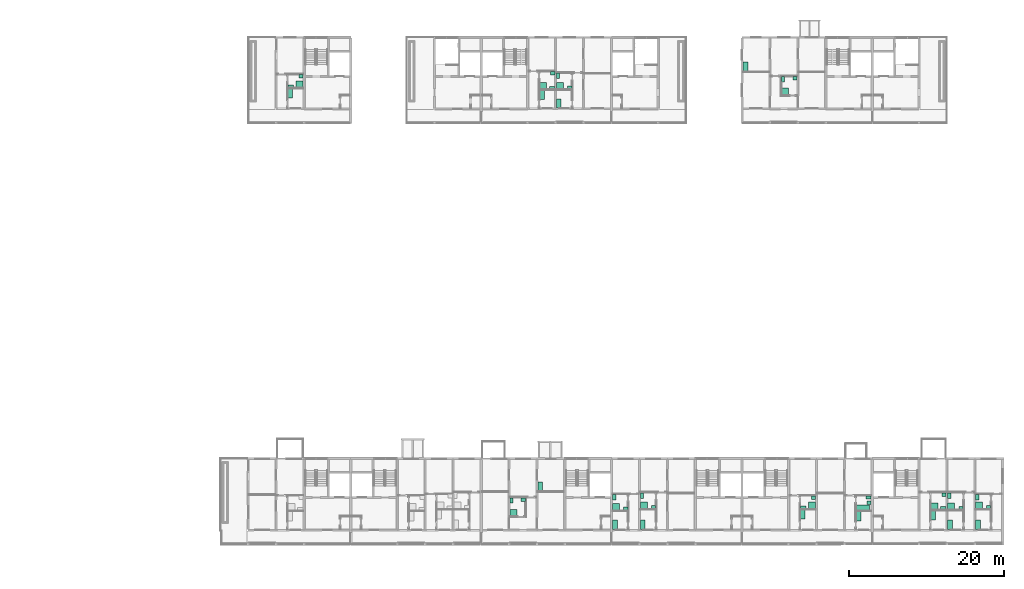
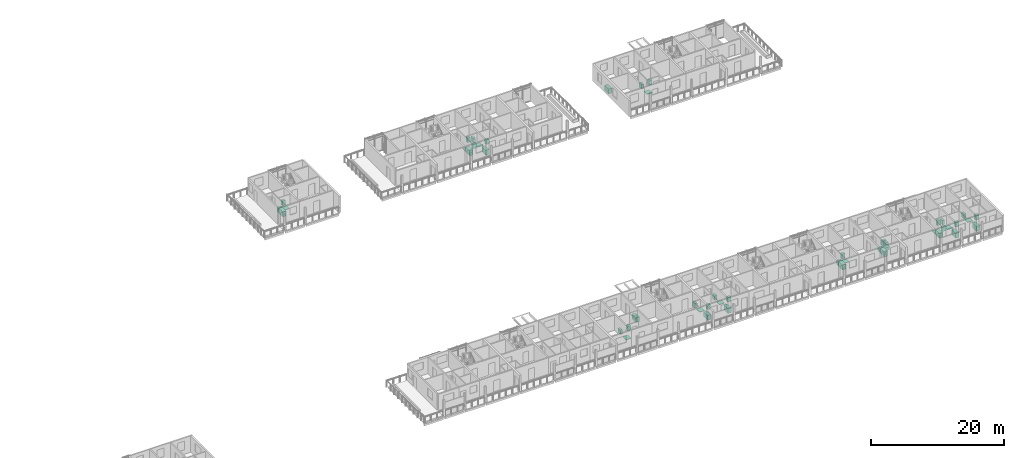
# One storey, part 87 of 87: 48 sanitary terminals.
"""IFC4 building model written with IfcOpenShell, lengths in metres."""

from ifc_helpers import new_model, si_unit, direction, frame, origin, origin_2d, place, context, subcontext, project, spatial, rectangle, extrude, element, save


model = new_model("IFC4")

# Units and contexts
model_context = context("Model", 3, precision=1e-05, world=origin(), true_north=direction((0.0, 1.0)))
body_context = subcontext(model_context, "Body", "Model", "MODEL_VIEW")
ifc_project = project(units=[si_unit("LENGTHUNIT", "METRE"), si_unit("AREAUNIT", "SQUARE_METRE"), si_unit("VOLUMEUNIT", "CUBIC_METRE"), si_unit("PLANEANGLEUNIT", "RADIAN"), si_unit("MASSUNIT", "GRAM", prefix="KILO")], contexts=[model_context])

# Site, building, storey
site_placement = place(None, origin())
site = spatial("IfcSite", under=ifc_project, at=site_placement, CompositionType="ELEMENT")
building_placement = place(site_placement, origin())
building = spatial("IfcBuilding", under=site, at=building_placement, Name="Ridgestep Commons", CompositionType="ELEMENT")
storey_placement = place(building_placement, frame((0.0, 0.0, 27.0)))
storey = spatial("IfcBuildingStorey", under=building, at=storey_placement, Name="L09", CompositionType="ELEMENT", Elevation=27.0)

# Sanitary terminals
sanitary_terminal_1_placement = place(storey_placement, frame((157.02490234375, 71.06005859375, 0.0), z_axis=(0.0, 0.0, 1.0), x_axis=(1.0, 0.0, 0.0)))
element("IfcSanitaryTerminal", 1, at=sanitary_terminal_1_placement, inside=storey, Name="Shower tray C1-09a", PredefinedType="SHOWER", context=body_context, shape_type="SweptSolid", body=[
    extrude(rectangle(XDim=0.89990234375, YDim=0.89990234375, at=origin_2d()), origin(), (0.0, 0.0, 1.0), 0.10009765625),
])
sanitary_terminal_2_placement = place(storey_placement, frame((155.860107421875, 70.81005859375, 0.0), z_axis=(0.0, 0.0, 1.0), x_axis=(1.0, 0.0, 0.0)))
element("IfcSanitaryTerminal", 2, at=sanitary_terminal_2_placement, inside=storey, Name="WC C1-09a", PredefinedType="TOILETPAN", context=body_context, shape_type="SweptSolid", body=[
    extrude(rectangle(XDim=0.699951171875, YDim=0.39990234375, at=origin_2d()), origin(), (0.0, 0.0, 1.0), 0.800048828125),
])
sanitary_terminal_3_placement = place(storey_placement, frame((157.199951171875, 72.074951171875, 0.0), z_axis=(0.0, 0.0, 1.0), x_axis=(1.0, 0.0, 0.0)))
element("IfcSanitaryTerminal", 3, at=sanitary_terminal_3_placement, inside=storey, Name="Basin C1-09a", PredefinedType="WASHHANDBASIN", context=body_context, shape_type="SweptSolid", body=[
    extrude(rectangle(XDim=0.550048828125, YDim=0.449951171875, at=origin_2d()), origin(), (0.0, 0.0, 1.0), 0.85009765625),
])
sanitary_terminal_4_placement = place(storey_placement, frame((155.81005859375, 69.89990234375, 0.0), z_axis=(0.0, 0.0, 1.0), x_axis=(1.0, 0.0, 0.0)))
element("IfcSanitaryTerminal", 4, at=sanitary_terminal_4_placement, inside=storey, Name="Kitchen sink C1-09a", PredefinedType="SINK", context=body_context, shape_type="SweptSolid", body=[
    extrude(rectangle(XDim=0.60009765625, YDim=1.199951171875, at=origin_2d()), origin(), (0.0, 0.0, 1.0), 0.89990234375),
])
sanitary_terminal_5_placement = place(storey_placement, frame((190.550048828125, 70.860107421875, 0.0), z_axis=(0.0, 0.0, 1.0), x_axis=(1.0, 0.0, 0.0)))
element("IfcSanitaryTerminal", 5, at=sanitary_terminal_5_placement, inside=storey, Name="Shower tray C3-09a", PredefinedType="SHOWER", context=body_context, shape_type="SweptSolid", body=[
    extrude(rectangle(XDim=0.89990234375, YDim=0.89990234375, at=origin_2d()), origin(), (0.0, 0.0, 1.0), 0.10009765625),
])
sanitary_terminal_6_placement = place(storey_placement, frame((190.300048828125, 72.14990234375, 0.0), z_axis=(0.0, 0.0, 1.0), x_axis=(1.0, 0.0, 0.0)))
element("IfcSanitaryTerminal", 6, at=sanitary_terminal_6_placement, inside=storey, Name="WC C3-09a", PredefinedType="TOILETPAN", context=body_context, shape_type="SweptSolid", body=[
    extrude(rectangle(XDim=0.39990234375, YDim=0.699951171875, at=origin_2d()), origin(), (0.0, 0.0, 1.0), 0.800048828125),
])
sanitary_terminal_7_placement = place(storey_placement, frame((191.81494140625, 70.635009765625, 0.0), z_axis=(0.0, 0.0, 1.0), x_axis=(1.0, 0.0, 0.0)))
element("IfcSanitaryTerminal", 7, at=sanitary_terminal_7_placement, inside=storey, Name="Basin C3-09a", PredefinedType="WASHHANDBASIN", context=body_context, shape_type="SweptSolid", body=[
    extrude(rectangle(XDim=0.550048828125, YDim=0.449951171875, at=origin_2d()), origin(), (0.0, 0.0, 1.0), 0.85009765625),
])
sanitary_terminal_8_placement = place(storey_placement, frame((190.39990234375, 68.60009765625, 0.0), z_axis=(0.0, 0.0, 1.0), x_axis=(1.0, 0.0, 0.0)))
element("IfcSanitaryTerminal", 8, at=sanitary_terminal_8_placement, inside=storey, Name="Kitchen sink C3-09a", PredefinedType="SINK", context=body_context, shape_type="SweptSolid", body=[
    extrude(rectangle(XDim=0.60009765625, YDim=1.199951171875, at=origin_2d()), origin(), (0.0, 0.0, 1.0), 0.89990234375),
])
sanitary_terminal_9_placement = place(storey_placement, frame((188.385009765625, 70.860107421875, 0.0), z_axis=(0.0, 0.0, 1.0), x_axis=(1.0, 0.0, 0.0)))
element("IfcSanitaryTerminal", 9, at=sanitary_terminal_9_placement, inside=storey, Name="Shower tray C3-09b", PredefinedType="SHOWER", context=body_context, shape_type="SweptSolid", body=[
    extrude(rectangle(XDim=0.89990234375, YDim=0.89990234375, at=origin_2d()), origin(), (0.0, 0.0, 1.0), 0.10009765625),
])
sanitary_terminal_10_placement = place(storey_placement, frame((189.550048828125, 70.610107421875, 0.0), z_axis=(0.0, 0.0, 1.0), x_axis=(1.0, 0.0, 0.0)))
element("IfcSanitaryTerminal", 10, at=sanitary_terminal_10_placement, inside=storey, Name="WC C3-09b", PredefinedType="TOILETPAN", context=body_context, shape_type="SweptSolid", body=[
    extrude(rectangle(XDim=0.699951171875, YDim=0.39990234375, at=origin_2d()), origin(), (0.0, 0.0, 1.0), 0.800048828125),
])
sanitary_terminal_11_placement = place(storey_placement, frame((189.625, 72.47509765625, 0.0), z_axis=(0.0, 0.0, 1.0), x_axis=(1.0, 0.0, 0.0)))
element("IfcSanitaryTerminal", 11, at=sanitary_terminal_11_placement, inside=storey, Name="Basin C3-09b", PredefinedType="WASHHANDBASIN", context=body_context, shape_type="SweptSolid", body=[
    extrude(rectangle(XDim=0.550048828125, YDim=0.449951171875, at=origin_2d()), origin(), (0.0, 0.0, 1.0), 0.85009765625),
])
sanitary_terminal_12_placement = place(storey_placement, frame((188.235107421875, 69.699951171875, 0.0), z_axis=(0.0, 0.0, 1.0), x_axis=(1.0, 0.0, 0.0)))
element("IfcSanitaryTerminal", 12, at=sanitary_terminal_12_placement, inside=storey, Name="Kitchen sink C3-09b", PredefinedType="SINK", context=body_context, shape_type="SweptSolid", body=[
    extrude(rectangle(XDim=0.60009765625, YDim=1.199951171875, at=origin_2d()), origin(), (0.0, 0.0, 1.0), 0.89990234375),
])
sanitary_terminal_13_placement = place(storey_placement, frame((219.56005859375, 70.110107421875, 0.0), z_axis=(0.0, 0.0, 1.0), x_axis=(1.0, 0.0, 0.0)))
element("IfcSanitaryTerminal", 13, at=sanitary_terminal_13_placement, inside=storey, Name="Shower tray C5-09a", PredefinedType="SHOWER", context=body_context, shape_type="SweptSolid", body=[
    extrude(rectangle(XDim=0.89990234375, YDim=0.89990234375, at=origin_2d()), origin(), (0.0, 0.0, 1.0), 0.10009765625),
])
sanitary_terminal_14_placement = place(storey_placement, frame((219.31005859375, 71.7099609375, 0.0), z_axis=(0.0, 0.0, 1.0), x_axis=(1.0, 0.0, 0.0)))
element("IfcSanitaryTerminal", 14, at=sanitary_terminal_14_placement, inside=storey, Name="WC C5-09a", PredefinedType="TOILETPAN", context=body_context, shape_type="SweptSolid", body=[
    extrude(rectangle(XDim=0.39990234375, YDim=0.699951171875, at=origin_2d()), origin(), (0.0, 0.0, 1.0), 0.800048828125),
])
sanitary_terminal_15_placement = place(storey_placement, frame((220.824951171875, 71.8349609375, 0.0), z_axis=(0.0, 0.0, 1.0), x_axis=(1.0, 0.0, 0.0)))
element("IfcSanitaryTerminal", 15, at=sanitary_terminal_15_placement, inside=storey, Name="Basin C5-09a", PredefinedType="WASHHANDBASIN", context=body_context, shape_type="SweptSolid", body=[
    extrude(rectangle(XDim=0.550048828125, YDim=0.449951171875, at=origin_2d()), origin(), (0.0, 0.0, 1.0), 0.85009765625),
])
sanitary_terminal_16_placement = place(storey_placement, frame((214.449951171875, 73.31005859375, 0.0), z_axis=(0.0, 0.0, 1.0), x_axis=(1.0, 0.0, 0.0)))
element("IfcSanitaryTerminal", 16, at=sanitary_terminal_16_placement, inside=storey, Name="Kitchen sink C5-09a", PredefinedType="SINK", context=body_context, shape_type="SweptSolid", body=[
    extrude(rectangle(XDim=0.60009765625, YDim=1.199951171875, at=origin_2d()), origin(), (0.0, 0.0, 1.0), 0.89990234375),
])
sanitary_terminal_17_placement = place(storey_placement, frame((184.550048828125, 15.860107421875, 0.0), z_axis=(0.0, 0.0, 1.0), x_axis=(1.0, 0.0, 0.0)))
element("IfcSanitaryTerminal", 17, at=sanitary_terminal_17_placement, inside=storey, Name="Shower tray D3-09a", PredefinedType="SHOWER", context=body_context, shape_type="SweptSolid", body=[
    extrude(rectangle(XDim=0.89990234375, YDim=0.89990234375, at=origin_2d()), origin(), (0.0, 0.0, 1.0), 0.10009765625),
])
sanitary_terminal_18_placement = place(storey_placement, frame((184.300048828125, 17.4599609375, 0.0), z_axis=(0.0, 0.0, 1.0), x_axis=(1.0, 0.0, 0.0)))
element("IfcSanitaryTerminal", 18, at=sanitary_terminal_18_placement, inside=storey, Name="WC D3-09a", PredefinedType="TOILETPAN", context=body_context, shape_type="SweptSolid", body=[
    extrude(rectangle(XDim=0.39990234375, YDim=0.699951171875, at=origin_2d()), origin(), (0.0, 0.0, 1.0), 0.800048828125),
])
sanitary_terminal_19_placement = place(storey_placement, frame((185.81494140625, 17.5849609375, 0.0), z_axis=(0.0, 0.0, 1.0), x_axis=(1.0, 0.0, 0.0)))
element("IfcSanitaryTerminal", 19, at=sanitary_terminal_19_placement, inside=storey, Name="Basin D3-09a", PredefinedType="WASHHANDBASIN", context=body_context, shape_type="SweptSolid", body=[
    extrude(rectangle(XDim=0.550048828125, YDim=0.449951171875, at=origin_2d()), origin(), (0.0, 0.0, 1.0), 0.85009765625),
])
sanitary_terminal_20_placement = place(storey_placement, frame((188.0, 19.260009765625, 0.0), z_axis=(0.0, 0.0, 1.0), x_axis=(1.0, 0.0, 0.0)))
element("IfcSanitaryTerminal", 20, at=sanitary_terminal_20_placement, inside=storey, Name="Kitchen sink D3-09a", PredefinedType="SINK", context=body_context, shape_type="SweptSolid", body=[
    extrude(rectangle(XDim=0.60009765625, YDim=1.199951171875, at=origin_2d()), origin(), (0.0, 0.0, 1.0), 0.89990234375),
])
sanitary_terminal_21_placement = place(storey_placement, frame((197.800048828125, 16.610107421875, 0.0), z_axis=(0.0, 0.0, 1.0), x_axis=(1.0, 0.0, 0.0)))
element("IfcSanitaryTerminal", 21, at=sanitary_terminal_21_placement, inside=storey, Name="Shower tray D4-09a", PredefinedType="SHOWER", context=body_context, shape_type="SweptSolid", body=[
    extrude(rectangle(XDim=0.89990234375, YDim=0.89990234375, at=origin_2d()), origin(), (0.0, 0.0, 1.0), 0.10009765625),
])
sanitary_terminal_22_placement = place(storey_placement, frame((197.550048828125, 17.89990234375, 0.0), z_axis=(0.0, 0.0, 1.0), x_axis=(1.0, 0.0, 0.0)))
element("IfcSanitaryTerminal", 22, at=sanitary_terminal_22_placement, inside=storey, Name="WC D4-09a", PredefinedType="TOILETPAN", context=body_context, shape_type="SweptSolid", body=[
    extrude(rectangle(XDim=0.39990234375, YDim=0.699951171875, at=origin_2d()), origin(), (0.0, 0.0, 1.0), 0.800048828125),
])
sanitary_terminal_23_placement = place(storey_placement, frame((199.014892578125, 16.385009765625, 0.0), z_axis=(0.0, 0.0, 1.0), x_axis=(1.0, 0.0, 0.0)))
element("IfcSanitaryTerminal", 23, at=sanitary_terminal_23_placement, inside=storey, Name="Basin D4-09a", PredefinedType="WASHHANDBASIN", context=body_context, shape_type="SweptSolid", body=[
    extrude(rectangle(XDim=0.550048828125, YDim=0.449951171875, at=origin_2d()), origin(), (0.0, 0.0, 1.0), 0.85009765625),
])
sanitary_terminal_24_placement = place(storey_placement, frame((197.64990234375, 14.35009765625, 0.0), z_axis=(0.0, 0.0, 1.0), x_axis=(1.0, 0.0, 0.0)))
element("IfcSanitaryTerminal", 24, at=sanitary_terminal_24_placement, inside=storey, Name="Kitchen sink D4-09a", PredefinedType="SINK", context=body_context, shape_type="SweptSolid", body=[
    extrude(rectangle(XDim=0.60009765625, YDim=1.199951171875, at=origin_2d()), origin(), (0.0, 0.0, 1.0), 0.89990234375),
])
sanitary_terminal_25_placement = place(storey_placement, frame((201.35009765625, 16.81005859375, 0.0), z_axis=(0.0, 0.0, 1.0), x_axis=(1.0, 0.0, 0.0)))
element("IfcSanitaryTerminal", 25, at=sanitary_terminal_25_placement, inside=storey, Name="Shower tray D4-09b", PredefinedType="SHOWER", context=body_context, shape_type="SweptSolid", body=[
    extrude(rectangle(XDim=0.89990234375, YDim=0.89990234375, at=origin_2d()), origin(), (0.0, 0.0, 1.0), 0.10009765625),
])
sanitary_terminal_26_placement = place(storey_placement, frame((201.10009765625, 18.10009765625, 0.0), z_axis=(0.0, 0.0, 1.0), x_axis=(1.0, 0.0, 0.0)))
element("IfcSanitaryTerminal", 26, at=sanitary_terminal_26_placement, inside=storey, Name="WC D4-09b", PredefinedType="TOILETPAN", context=body_context, shape_type="SweptSolid", body=[
    extrude(rectangle(XDim=0.39990234375, YDim=0.699951171875, at=origin_2d()), origin(), (0.0, 0.0, 1.0), 0.800048828125),
])
sanitary_terminal_27_placement = place(storey_placement, frame((202.614990234375, 16.5849609375, 0.0), z_axis=(0.0, 0.0, 1.0), x_axis=(1.0, 0.0, 0.0)))
element("IfcSanitaryTerminal", 27, at=sanitary_terminal_27_placement, inside=storey, Name="Basin D4-09b", PredefinedType="WASHHANDBASIN", context=body_context, shape_type="SweptSolid", body=[
    extrude(rectangle(XDim=0.550048828125, YDim=0.449951171875, at=origin_2d()), origin(), (0.0, 0.0, 1.0), 0.85009765625),
])
sanitary_terminal_28_placement = place(storey_placement, frame((201.199951171875, 14.35009765625, 0.0), z_axis=(0.0, 0.0, 1.0), x_axis=(1.0, 0.0, 0.0)))
element("IfcSanitaryTerminal", 28, at=sanitary_terminal_28_placement, inside=storey, Name="Kitchen sink D4-09b", PredefinedType="SINK", context=body_context, shape_type="SweptSolid", body=[
    extrude(rectangle(XDim=0.60009765625, YDim=1.199951171875, at=origin_2d()), origin(), (0.0, 0.0, 1.0), 0.89990234375),
])
sanitary_terminal_29_placement = place(storey_placement, frame((229.56005859375, 16.534912109375, 0.0), z_axis=(0.0, 0.0, 1.0), x_axis=(1.0, 0.0, 0.0)))
element("IfcSanitaryTerminal", 29, at=sanitary_terminal_29_placement, inside=storey, Name="Bath D5-09a", PredefinedType="BATH", context=body_context, shape_type="SweptSolid", body=[
    extrude(rectangle(XDim=1.699951171875, YDim=0.75, at=origin_2d()), origin(), (0.0, 0.0, 1.0), 0.550048828125),
])
sanitary_terminal_30_placement = place(storey_placement, frame((230.300048828125, 17.85009765625, 0.0), z_axis=(0.0, 0.0, 1.0), x_axis=(1.0, 0.0, 0.0)))
element("IfcSanitaryTerminal", 30, at=sanitary_terminal_30_placement, inside=storey, Name="WC D5-09a", PredefinedType="TOILETPAN", context=body_context, shape_type="SweptSolid", body=[
    extrude(rectangle(XDim=0.699951171875, YDim=0.39990234375, at=origin_2d()), origin(), (0.0, 0.0, 1.0), 0.800048828125),
])
sanitary_terminal_31_placement = place(storey_placement, frame((230.375, 17.18505859375, 0.0), z_axis=(0.0, 0.0, 1.0), x_axis=(1.0, 0.0, 0.0)))
element("IfcSanitaryTerminal", 31, at=sanitary_terminal_31_placement, inside=storey, Name="Basin D5-09a", PredefinedType="WASHHANDBASIN", context=body_context, shape_type="SweptSolid", body=[
    extrude(rectangle(XDim=0.550048828125, YDim=0.449951171875, at=origin_2d()), origin(), (0.0, 0.0, 1.0), 0.85009765625),
])
sanitary_terminal_32_placement = place(storey_placement, frame((229.010009765625, 15.449951171875, 0.0), z_axis=(0.0, 0.0, 1.0), x_axis=(1.0, 0.0, 0.0)))
element("IfcSanitaryTerminal", 32, at=sanitary_terminal_32_placement, inside=storey, Name="Kitchen sink D5-09a", PredefinedType="SINK", context=body_context, shape_type="SweptSolid", body=[
    extrude(rectangle(XDim=0.60009765625, YDim=1.199951171875, at=origin_2d()), origin(), (0.0, 0.0, 1.0), 0.89990234375),
])
sanitary_terminal_33_placement = place(storey_placement, frame((223.050048828125, 16.81005859375, 0.0), z_axis=(0.0, 0.0, 1.0), x_axis=(1.0, 0.0, 0.0)))
element("IfcSanitaryTerminal", 33, at=sanitary_terminal_33_placement, inside=storey, Name="Shower tray D5-09b", PredefinedType="SHOWER", context=body_context, shape_type="SweptSolid", body=[
    extrude(rectangle(XDim=0.89990234375, YDim=0.89990234375, at=origin_2d()), origin(), (0.0, 0.0, 1.0), 0.10009765625),
])
sanitary_terminal_34_placement = place(storey_placement, frame((221.885009765625, 16.56005859375, 0.0), z_axis=(0.0, 0.0, 1.0), x_axis=(1.0, 0.0, 0.0)))
element("IfcSanitaryTerminal", 34, at=sanitary_terminal_34_placement, inside=storey, Name="WC D5-09b", PredefinedType="TOILETPAN", context=body_context, shape_type="SweptSolid", body=[
    extrude(rectangle(XDim=0.699951171875, YDim=0.39990234375, at=origin_2d()), origin(), (0.0, 0.0, 1.0), 0.800048828125),
])
sanitary_terminal_35_placement = place(storey_placement, frame((223.22509765625, 17.824951171875, 0.0), z_axis=(0.0, 0.0, 1.0), x_axis=(1.0, 0.0, 0.0)))
element("IfcSanitaryTerminal", 35, at=sanitary_terminal_35_placement, inside=storey, Name="Basin D5-09b", PredefinedType="WASHHANDBASIN", context=body_context, shape_type="SweptSolid", body=[
    extrude(rectangle(XDim=0.550048828125, YDim=0.449951171875, at=origin_2d()), origin(), (0.0, 0.0, 1.0), 0.85009765625),
])
sanitary_terminal_36_placement = place(storey_placement, frame((221.8349609375, 15.64990234375, 0.0), z_axis=(0.0, 0.0, 1.0), x_axis=(1.0, 0.0, 0.0)))
element("IfcSanitaryTerminal", 36, at=sanitary_terminal_36_placement, inside=storey, Name="Kitchen sink D5-09b", PredefinedType="SINK", context=body_context, shape_type="SweptSolid", body=[
    extrude(rectangle(XDim=0.60009765625, YDim=1.199951171875, at=origin_2d()), origin(), (0.0, 0.0, 1.0), 0.89990234375),
])
sanitary_terminal_37_placement = place(storey_placement, frame((244.550048828125, 16.81005859375, 0.0), z_axis=(0.0, 0.0, 1.0), x_axis=(1.0, 0.0, 0.0)))
element("IfcSanitaryTerminal", 37, at=sanitary_terminal_37_placement, inside=storey, Name="Shower tray D6-09a", PredefinedType="SHOWER", context=body_context, shape_type="SweptSolid", body=[
    extrude(rectangle(XDim=0.89990234375, YDim=0.89990234375, at=origin_2d()), origin(), (0.0, 0.0, 1.0), 0.10009765625),
])
sanitary_terminal_38_placement = place(storey_placement, frame((244.300048828125, 17.89990234375, 0.0), z_axis=(0.0, 0.0, 1.0), x_axis=(1.0, 0.0, 0.0)))
element("IfcSanitaryTerminal", 38, at=sanitary_terminal_38_placement, inside=storey, Name="WC D6-09a", PredefinedType="TOILETPAN", context=body_context, shape_type="SweptSolid", body=[
    extrude(rectangle(XDim=0.39990234375, YDim=0.699951171875, at=origin_2d()), origin(), (0.0, 0.0, 1.0), 0.800048828125),
])
sanitary_terminal_39_placement = place(storey_placement, frame((245.764892578125, 16.5849609375, 0.0), z_axis=(0.0, 0.0, 1.0), x_axis=(1.0, 0.0, 0.0)))
element("IfcSanitaryTerminal", 39, at=sanitary_terminal_39_placement, inside=storey, Name="Basin D6-09a", PredefinedType="WASHHANDBASIN", context=body_context, shape_type="SweptSolid", body=[
    extrude(rectangle(XDim=0.550048828125, YDim=0.449951171875, at=origin_2d()), origin(), (0.0, 0.0, 1.0), 0.85009765625),
])
sanitary_terminal_40_placement = place(storey_placement, frame((244.39990234375, 14.35009765625, 0.0), z_axis=(0.0, 0.0, 1.0), x_axis=(1.0, 0.0, 0.0)))
element("IfcSanitaryTerminal", 40, at=sanitary_terminal_40_placement, inside=storey, Name="Kitchen sink D6-09a", PredefinedType="SINK", context=body_context, shape_type="SweptSolid", body=[
    extrude(rectangle(XDim=0.60009765625, YDim=1.199951171875, at=origin_2d()), origin(), (0.0, 0.0, 1.0), 0.89990234375),
])
sanitary_terminal_41_placement = place(storey_placement, frame((240.949951171875, 16.7099609375, 0.0), z_axis=(0.0, 0.0, 1.0), x_axis=(1.0, 0.0, 0.0)))
element("IfcSanitaryTerminal", 41, at=sanitary_terminal_41_placement, inside=storey, Name="Shower tray D6-09b", PredefinedType="SHOWER", context=body_context, shape_type="SweptSolid", body=[
    extrude(rectangle(XDim=0.89990234375, YDim=0.89990234375, at=origin_2d()), origin(), (0.0, 0.0, 1.0), 0.10009765625),
])
sanitary_terminal_42_placement = place(storey_placement, frame((240.699951171875, 18.10009765625, 0.0), z_axis=(0.0, 0.0, 1.0), x_axis=(1.0, 0.0, 0.0)))
element("IfcSanitaryTerminal", 42, at=sanitary_terminal_42_placement, inside=storey, Name="WC D6-09b", PredefinedType="TOILETPAN", context=body_context, shape_type="SweptSolid", body=[
    extrude(rectangle(XDim=0.39990234375, YDim=0.699951171875, at=origin_2d()), origin(), (0.0, 0.0, 1.0), 0.800048828125),
])
sanitary_terminal_43_placement = place(storey_placement, frame((242.215087890625, 16.485107421875, 0.0), z_axis=(0.0, 0.0, 1.0), x_axis=(1.0, 0.0, 0.0)))
element("IfcSanitaryTerminal", 43, at=sanitary_terminal_43_placement, inside=storey, Name="Basin D6-09b", PredefinedType="WASHHANDBASIN", context=body_context, shape_type="SweptSolid", body=[
    extrude(rectangle(XDim=0.550048828125, YDim=0.449951171875, at=origin_2d()), origin(), (0.0, 0.0, 1.0), 0.85009765625),
])
sanitary_terminal_44_placement = place(storey_placement, frame((240.800048828125, 14.35009765625, 0.0), z_axis=(0.0, 0.0, 1.0), x_axis=(1.0, 0.0, 0.0)))
element("IfcSanitaryTerminal", 44, at=sanitary_terminal_44_placement, inside=storey, Name="Kitchen sink D6-09b", PredefinedType="SINK", context=body_context, shape_type="SweptSolid", body=[
    extrude(rectangle(XDim=0.60009765625, YDim=1.199951171875, at=origin_2d()), origin(), (0.0, 0.0, 1.0), 0.89990234375),
])
sanitary_terminal_45_placement = place(storey_placement, frame((238.784912109375, 16.7099609375, 0.0), z_axis=(0.0, 0.0, 1.0), x_axis=(1.0, 0.0, 0.0)))
element("IfcSanitaryTerminal", 45, at=sanitary_terminal_45_placement, inside=storey, Name="Shower tray D6-09c", PredefinedType="SHOWER", context=body_context, shape_type="SweptSolid", body=[
    extrude(rectangle(XDim=0.89990234375, YDim=0.89990234375, at=origin_2d()), origin(), (0.0, 0.0, 1.0), 0.10009765625),
])
sanitary_terminal_46_placement = place(storey_placement, frame((239.949951171875, 16.4599609375, 0.0), z_axis=(0.0, 0.0, 1.0), x_axis=(1.0, 0.0, 0.0)))
element("IfcSanitaryTerminal", 46, at=sanitary_terminal_46_placement, inside=storey, Name="WC D6-09c", PredefinedType="TOILETPAN", context=body_context, shape_type="SweptSolid", body=[
    extrude(rectangle(XDim=0.699951171875, YDim=0.39990234375, at=origin_2d()), origin(), (0.0, 0.0, 1.0), 0.800048828125),
])
sanitary_terminal_47_placement = place(storey_placement, frame((240.02490234375, 18.22509765625, 0.0), z_axis=(0.0, 0.0, 1.0), x_axis=(1.0, 0.0, 0.0)))
element("IfcSanitaryTerminal", 47, at=sanitary_terminal_47_placement, inside=storey, Name="Basin D6-09c", PredefinedType="WASHHANDBASIN", context=body_context, shape_type="SweptSolid", body=[
    extrude(rectangle(XDim=0.550048828125, YDim=0.449951171875, at=origin_2d()), origin(), (0.0, 0.0, 1.0), 0.85009765625),
])
sanitary_terminal_48_placement = place(storey_placement, frame((238.635009765625, 15.550048828125, 0.0), z_axis=(0.0, 0.0, 1.0), x_axis=(1.0, 0.0, 0.0)))
element("IfcSanitaryTerminal", 48, at=sanitary_terminal_48_placement, inside=storey, Name="Kitchen sink D6-09c", PredefinedType="SINK", context=body_context, shape_type="SweptSolid", body=[
    extrude(rectangle(XDim=0.60009765625, YDim=1.199951171875, at=origin_2d()), origin(), (0.0, 0.0, 1.0), 0.89990234375),
])

save(model, "model.ifc")
